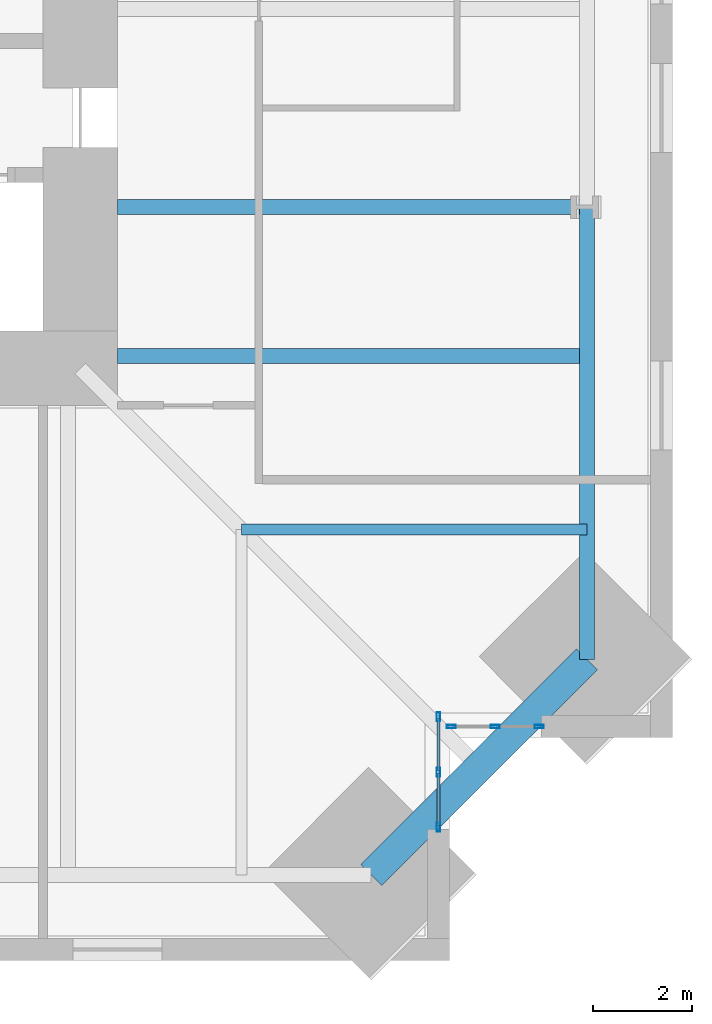
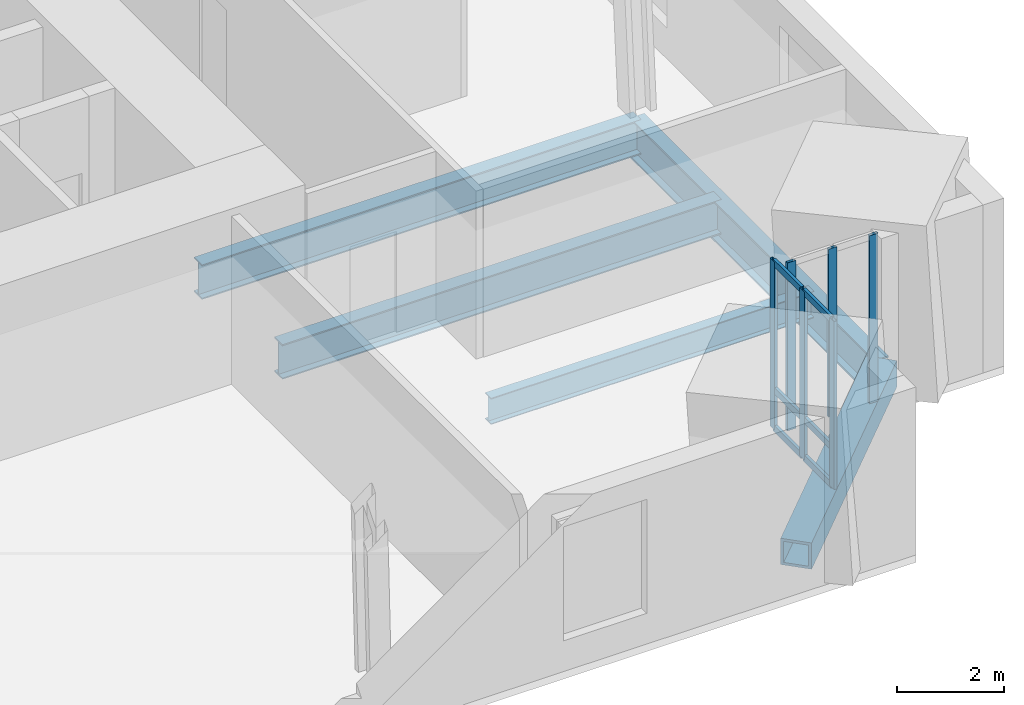
# One storey, part 4 of 15: 12 members, 5 beams, 2 elements without a shape of their own.
"""IFC4 building model written with IfcOpenShell, lengths in metres."""

import ifcopenshell
import ifcopenshell.guid

model = None  # the IFC model being written
_history = None  # IfcOwnerHistory: only IFC2X3 demands one
_inside = {}  # id of a spatial element -> (the spatial element, [elements in it])
_under = {}  # id of a project, library or spatial element -> (it, [spatial elements below it])
_declared = {}  # id of a project -> (the project, [libraries it declares])
_typed = {}  # id of a type object -> (the type object, [elements of that type])
_made_of = {}  # id of a material, layer set ... -> (it, [elements and type objects made of it])


def new_model(schema):
    """Start an empty IFC model of exactly this schema.

    Asked for "IFC4X3", IfcOpenShell would pick the latest addendum, in which some entities
    have other attributes; the version numbers below select the first issue.
    IFC2X3 requires an IfcOwnerHistory on every rooted entity: one is made here for all.
    """
    global model, _history
    if schema == "IFC4X3":
        model = ifcopenshell.file(schema_version=(4, 3, 0, 0))
    else:
        model = ifcopenshell.file(schema=schema)
    _inside.clear()
    _under.clear()
    _declared.clear()
    _typed.clear()
    _made_of.clear()
    _history = None
    if model.schema == "IFC2X3":
        org = make("IfcOrganization", Name="unknown")
        user = make(
            "IfcPersonAndOrganization",
            ThePerson=make("IfcPerson", FamilyName="unknown"),
            TheOrganization=org,
        )
        app = make(
            "IfcApplication",
            ApplicationDeveloper=org,
            Version="unknown",
            ApplicationFullName="unknown",
            ApplicationIdentifier="unknown",
        )
        _history = make(
            "IfcOwnerHistory",
            OwningUser=user,
            OwningApplication=app,
            ChangeAction="ADDED",
            CreationDate=0,
        )
    return model


def make(cls, **values):
    """One entity of the class cls with the attributes given. An attribute that is None is left unset."""
    return model.create_entity(
        cls, **{name: value for name, value in values.items() if value is not None}
    )


def rooted(cls, **values):
    """An entity with a GlobalId (a new one), such as an element, a storey or a relation."""
    return make(cls, GlobalId=ifcopenshell.guid.new(), OwnerHistory=_history, **values)


def si_unit(unit_type, name, prefix=None):
    """IfcSIUnit, for example si_unit("LENGTHUNIT", "METRE", prefix="MILLI")."""
    return make("IfcSIUnit", UnitType=unit_type, Prefix=prefix, Name=name)


def assignment(units):
    """IfcUnitAssignment: the units of a project."""
    return None if units is None else make("IfcUnitAssignment", Units=units)


def point(xyz):
    """IfcCartesianPoint."""
    return None if xyz is None else make("IfcCartesianPoint", Coordinates=xyz)


def direction(xyz):
    """IfcDirection."""
    return None if xyz is None else make("IfcDirection", DirectionRatios=xyz)


def frame(location, z_axis=None, x_axis=None):
    """IfcAxis2Placement3D, a coordinate frame: its origin and axes. An axis left out is left unset."""
    return make(
        "IfcAxis2Placement3D",
        Location=point(location),
        Axis=direction(z_axis),
        RefDirection=direction(x_axis),
    )


def frame_2d(location, x_axis=None):
    """IfcAxis2Placement2D, a coordinate frame in the plane: its origin and x axis."""
    return make(
        "IfcAxis2Placement2D", Location=point(location), RefDirection=direction(x_axis)
    )


def origin():
    """The frame at (0, 0, 0) with its axes left unset."""
    return frame((0.0, 0.0, 0.0))


def origin_2d():
    """The frame at (0, 0) in the plane with its x axis left unset."""
    return frame_2d((0.0, 0.0))


def place(relative_to, where):
    """IfcLocalPlacement: puts the frame where relative to a parent placement (None: the world)."""
    return make(
        "IfcLocalPlacement", PlacementRelTo=relative_to, RelativePlacement=where
    )


def context(
    kind, dimensions, precision=None, world=None, true_north=None, identifier=None
):
    """IfcGeometricRepresentationContext, for example the 3D "Model" context."""
    return make(
        "IfcGeometricRepresentationContext",
        ContextIdentifier=identifier,
        ContextType=kind,
        CoordinateSpaceDimension=dimensions,
        Precision=precision,
        WorldCoordinateSystem=world,
        TrueNorth=true_north,
    )


def subcontext(parent, identifier, kind, view, scale=None):
    """IfcGeometricRepresentationSubContext, for example "Body" below "Model"."""
    return make(
        "IfcGeometricRepresentationSubContext",
        ContextIdentifier=identifier,
        ContextType=kind,
        ParentContext=parent,
        TargetScale=scale,
        TargetView=view,
    )


def project(units=None, contexts=None):
    """IfcProject with its units and contexts."""
    return rooted(
        "IfcProject",
        Name="project",
        RepresentationContexts=contexts,
        UnitsInContext=assignment(units),
    )


def spatial(cls, under=None, at=None, **own):
    """A site, building, storey or space (cls), placed at a placement, below another one or the project."""
    s = rooted(cls, ObjectPlacement=at, **own)
    if under is not None:
        _under.setdefault(under.id(), (under, []))[1].append(s)
    return s


def profile(cls, at=None, kind="AREA", **sizes):
    """A parametric profile (cls). Its sizes go by their IFC names, for example OverallWidth=200.0."""
    return make(cls, ProfileType=kind, Position=at, **sizes)


def hollow_rectangle(**sizes):
    """IfcRectangleHollowProfileDef."""
    return profile("IfcRectangleHollowProfileDef", **sizes)


def i_section(**sizes):
    """IfcIShapeProfileDef."""
    return profile("IfcIShapeProfileDef", **sizes)


def extrude(swept, where, along, depth):
    """IfcExtrudedAreaSolid: the profile swept, set in the frame where, extruded along a direction by depth."""
    return make(
        "IfcExtrudedAreaSolid",
        SweptArea=swept,
        Position=where,
        ExtrudedDirection=direction(along),
        Depth=depth,
    )


def shape(context_of_items, identifier, shape_type, items):
    """IfcShapeRepresentation: the items that make up one representation, for example the "Body"."""
    return make(
        "IfcShapeRepresentation",
        ContextOfItems=context_of_items,
        RepresentationIdentifier=identifier,
        RepresentationType=shape_type,
        Items=items,
    )


def material(Name=None, Category=None):
    """IfcMaterial."""
    return make("IfcMaterial", Name=Name, Category=Category)


def material_profile(
    of_material, cross_section, Name=None, Category=None, Priority=None
):
    """IfcMaterialProfile: a cross section and its material."""
    return make(
        "IfcMaterialProfile",
        Name=Name,
        Material=of_material,
        Profile=cross_section,
        Priority=Priority,
        Category=Category,
    )


def profile_set(profiles, Name=None, composite=None):
    """IfcMaterialProfileSet."""
    return make(
        "IfcMaterialProfileSet",
        Name=Name,
        MaterialProfiles=profiles,
        CompositeProfile=composite,
    )


def made_of(thing, what):
    """Note that an element or type object is made of a material, layer set ...; save() writes the relation."""
    if what is not None:
        _made_of.setdefault(what.id(), (what, []))[1].append(thing)
    return thing


def type_object(cls, material=None, **own):
    """A type object (cls), such as IfcWallType, which elements share."""
    return made_of(rooted(cls, **own), material)


def element(
    cls,
    number,
    at=None,
    inside=None,
    cuts=None,
    type_object=None,
    material=None,
    context=None,
    identifier="Body",
    shape_type=None,
    held_by="IfcProductDefinitionShape",
    body=None,
    shapes=None,
    **own,
):
    """One element of the class cls, such as IfcWall. Its Tag is "e" and its number.

    at: its placement. inside: the storey or other place that contains it. cuts: it is an
    opening in that element (IfcRelVoidsElement). A single representation is given by context,
    identifier, shape_type and body (its items); several are given by shapes. held_by: the class
    of the entity that holds the representations. save() writes the other relations.
    """
    e = rooted(cls, Tag="e%d" % number, ObjectPlacement=at, **own)
    if body is not None:
        shapes = [shape(context, identifier, shape_type, body)]
    if shapes is not None:
        e.Representation = make(held_by, Representations=shapes)
    if inside is not None:
        _inside.setdefault(inside.id(), (inside, []))[1].append(e)
    if cuts is not None:
        rooted(
            "IfcRelVoidsElement", RelatingBuildingElement=cuts, RelatedOpeningElement=e
        )
    if type_object is not None:
        _typed.setdefault(type_object.id(), (type_object, []))[1].append(e)
    return made_of(e, material)


def aggregate(whole, parts):
    """IfcRelAggregates: a whole, such as a stair, and the parts it consists of."""
    return rooted("IfcRelAggregates", RelatingObject=whole, RelatedObjects=parts)


def save(model, path):
    """Write the relations noted so far, then the file.

    IfcRelAggregates (storeys below a building ...), IfcRelContainedInSpatialStructure (elements
    in a storey), IfcRelDefinesByType, IfcRelAssociatesMaterial and IfcRelDeclares: one each for
    every whole, place, type object, material and project.
    """
    for whole, parts in _under.values():
        aggregate(whole, parts)
    for where, things in _inside.values():
        rooted(
            "IfcRelContainedInSpatialStructure",
            RelatedElements=things,
            RelatingStructure=where,
        )
    for kind, things in _typed.values():
        rooted("IfcRelDefinesByType", RelatedObjects=things, RelatingType=kind)
    for what, things in _made_of.values():
        rooted("IfcRelAssociatesMaterial", RelatedObjects=things, RelatingMaterial=what)
    for by, libraries in _declared.values():
        rooted("IfcRelDeclares", RelatingContext=by, RelatedDefinitions=libraries)
    model.write(path)


model = new_model("IFC4")

# Units and contexts
model_context = context("Model", 3, precision=1e-05, world=origin(), true_north=direction((0.0, 1.0)))
body_context = subcontext(model_context, "Body", "Model", "MODEL_VIEW")
ifc_project = project(units=[si_unit("LENGTHUNIT", "METRE"), si_unit("AREAUNIT", "SQUARE_METRE"), si_unit("VOLUMEUNIT", "CUBIC_METRE"), si_unit("PLANEANGLEUNIT", "RADIAN"), si_unit("MASSUNIT", "GRAM", prefix="KILO")], contexts=[model_context])

# Site, building, storey
site_placement = place(None, origin())
site = spatial("IfcSite", under=ifc_project, at=site_placement, CompositionType="ELEMENT")
building_placement = place(site_placement, origin())
building = spatial("IfcBuilding", under=site, at=building_placement, Name="Peilmerk Tower", CompositionType="ELEMENT")
storey_placement = place(building_placement, frame((0.0, 0.0, 233.800048828125)))
storey = spatial("IfcBuildingStorey", under=building, at=storey_placement, Name="L51", CompositionType="ELEMENT", Elevation=233.800048828125)

# Beams
ifc_material_1 = material(Name="Steel S355", Category="steel")
ifc_material_profile_1 = material_profile(ifc_material_1, i_section(OverallWidth=0.219970703125, OverallDepth=0.60009765625, WebThickness=0.011962890625, FlangeThickness=0.01904296875, at=origin_2d()), Name="IPE 600")
ifc_profile_set_1 = profile_set([ifc_material_profile_1], Name="Steel S355")
beam_type_1 = type_object("IfcBeamType", Name="B10 IPE 600 floor beam", PredefinedType="BEAM", material=ifc_profile_set_1)
beam_1_placement = place(storey_placement, frame((14.5, -14.5, -0.469970703125), z_axis=(1.0, 0.0, 0.0), x_axis=(0.0, 1.0, 0.0)))
element("IfcBeam", 1, at=beam_1_placement, inside=storey, type_object=beam_type_1, Name="Floor beam L51", PredefinedType="BEAM", context=body_context, shape_type="SweptSolid", body=[
    extrude(i_section(OverallWidth=0.219970703125, OverallDepth=0.60009765625, WebThickness=0.011962890625, FlangeThickness=0.01904296875, at=origin_2d()), origin(), (0.0, 0.0, 1.0), 6.96923828125),
])
ifc_material_profile_2 = material_profile(ifc_material_1, i_section(OverallWidth=0.302001953125, OverallDepth=0.909912109375, WebThickness=0.02099609375, FlangeThickness=0.0400390625, at=origin_2d()), Name="HEM 900")
ifc_profile_set_2 = profile_set([ifc_material_profile_2], Name="Steel S355")
beam_type_2 = type_object("IfcBeamType", Name="B2 HEM 900 edge beam", PredefinedType="SPANDREL", material=ifc_profile_set_2)
beam_2_placement = place(storey_placement, frame((21.46923828125, -17.119384765625, -0.625), z_axis=(0.0, 1.0, 0.0), x_axis=(-1.0, 0.0, 0.0)))
element("IfcBeam", 2, at=beam_2_placement, inside=storey, type_object=beam_type_2, Name="Edge beam L51", PredefinedType="SPANDREL", context=body_context, shape_type="SweptSolid", body=[
    extrude(i_section(OverallWidth=0.302001953125, OverallDepth=0.909912109375, WebThickness=0.02099609375, FlangeThickness=0.0400390625, at=origin_2d()), origin(), (0.0, 0.0, 1.0), 9.119384765625),
])
ifc_material_2 = material(Name="Steel S460", Category="steel")
ifc_material_profile_3 = material_profile(ifc_material_2, hollow_rectangle(XDim=0.60009765625, YDim=0.60009765625, WallThickness=0.06005859375, at=origin_2d()), Name="BOX 600x600x60")
ifc_profile_set_3 = profile_set([ifc_material_profile_3], Name="Steel S460")
beam_type_3 = type_object("IfcBeamType", Name="B20 BOX 600x600x60 notch beam", PredefinedType="SPANDREL", material=ifc_profile_set_3)
beam_3_placement = place(storey_placement, frame((21.46923828125, -17.119384765625, -0.469970703125), z_axis=(-0.707106781187, -0.707106781187, 0.0), x_axis=(0.707106781187, -0.707106781187, 0.0)))
element("IfcBeam", 3, at=beam_3_placement, inside=storey, type_object=beam_type_3, Name="Notch beam L51", PredefinedType="SPANDREL", context=body_context, shape_type="SweptSolid", body=[
    extrude(hollow_rectangle(XDim=0.60009765625, YDim=0.60009765625, WallThickness=0.06005859375, at=origin_2d()), origin(), (0.0, 0.0, 1.0), 6.151611328125),
])
ifc_material_profile_4 = material_profile(ifc_material_1, i_section(OverallWidth=0.300048828125, OverallDepth=0.7900390625, WebThickness=0.014892578125, FlangeThickness=0.028076171875, at=origin_2d()), Name="HEA 800")
ifc_profile_set_4 = profile_set([ifc_material_profile_4], Name="Steel S355")
beam_type_4 = type_object("IfcBeamType", Name="B3 HEA 800 floor beam", PredefinedType="BEAM", material=ifc_profile_set_4)
for number, where, z_axis, x_axis, name in (
    (4, (12.0, -11.0, -0.56494140625), (1.0, 0.0, 0.0), (0.0, 1.0, 0.0), "Floor beam L51"),
    (5, (12.0, -8.0, -0.56494140625), (1.0, 0.0, 0.0), (0.0, 1.0, 0.0), "Floor beam L51"),
):
    element("IfcBeam", number, at=place(storey_placement, frame(where, z_axis=z_axis, x_axis=x_axis)), inside=storey, type_object=beam_type_4, Name=name, PredefinedType="BEAM", context=body_context, shape_type="SweptSolid", body=[
        extrude(i_section(OverallWidth=0.300048828125, OverallDepth=0.7900390625, WebThickness=0.014892578125, FlangeThickness=0.028076171875, at=origin_2d()), origin(), (0.0, 0.0, 1.0), 9.46923828125),
    ])

# Curtain wall, members
ifc_material_3 = material(Name="Aluminium stick curtain wall", Category="aluminium")
curtain_wall_type = type_object("IfcCurtainWallType", Name="CW4 stick curtain wall, 2250 module", PredefinedType="NOTDEFINED", material=ifc_material_3)
curtain_wall_1_placement = place(storey_placement, origin())
curtain_wall_1 = element("IfcCurtainWall", 6, at=curtain_wall_1_placement, inside=storey, type_object=curtain_wall_type, Name="Curtain wall CW4 SEA L51", PredefinedType="NOTDEFINED")
ifc_material_4 = material(Name="Aluminium EN AW-6063 T6", Category="aluminium")
ifc_material_profile_5 = material_profile(ifc_material_4, hollow_rectangle(XDim=0.06494140625, YDim=0.179931640625, WallThickness=0.0029296875, at=origin_2d()), Name="AL 180x65x3")
ifc_profile_set_5 = profile_set([ifc_material_profile_5], Name="Aluminium EN AW-6063 T6")
member_type_1 = type_object("IfcMemberType", Name="CW4-M AL 180x65x3 mullion", PredefinedType="MULLION", material=ifc_profile_set_5)
member_1_placement = place(storey_placement, frame((18.47509765625, -18.282470703125, 0.0), z_axis=(0.0, 0.0, 1.0), x_axis=(1.0, 0.0, 0.0)))
member_1 = element("IfcMember", 7, at=member_1_placement, type_object=member_type_1, Name="CW4 mullion 1", PredefinedType="MULLION", context=body_context, shape_type="SweptSolid", body=[
    extrude(hollow_rectangle(XDim=0.06494140625, YDim=0.179931640625, WallThickness=0.0029296875, at=origin_2d()), origin(), (0.0, 0.0, 1.0), 3.829833984375),
])
member_2_placement = place(storey_placement, frame((18.47509765625, -19.394287109375, 0.0), z_axis=(0.0, 0.0, 1.0), x_axis=(1.0, 0.0, 0.0)))
member_2 = element("IfcMember", 8, at=member_2_placement, type_object=member_type_1, Name="CW4 mullion 2", PredefinedType="MULLION", context=body_context, shape_type="SweptSolid", body=[
    extrude(hollow_rectangle(XDim=0.06494140625, YDim=0.179931640625, WallThickness=0.0029296875, at=origin_2d()), origin(), (0.0, 0.0, 1.0), 3.829833984375),
])
member_3_placement = place(storey_placement, frame((18.47509765625, -20.506103515625, 0.0), z_axis=(0.0, 0.0, 1.0), x_axis=(1.0, 0.0, 0.0)))
member_3 = element("IfcMember", 9, at=member_3_placement, type_object=member_type_1, Name="CW4 mullion 3", PredefinedType="MULLION", context=body_context, shape_type="SweptSolid", body=[
    extrude(hollow_rectangle(XDim=0.06494140625, YDim=0.179931640625, WallThickness=0.0029296875, at=origin_2d()), origin(), (0.0, 0.0, 1.0), 3.829833984375),
])

curtain_wall_2_placement = place(storey_placement, origin())
curtain_wall_2 = element("IfcCurtainWall", 10, at=curtain_wall_2_placement, inside=storey, type_object=curtain_wall_type, Name="Curtain wall CW4 SEB L51", PredefinedType="NOTDEFINED")
member_4_placement = place(storey_placement, frame((18.732421875, -18.47509765625, 0.0), z_axis=(0.0, 0.0, 1.0), x_axis=(0.0, 1.0, 0.0)))
member_4 = element("IfcMember", 11, at=member_4_placement, type_object=member_type_1, Name="CW4 mullion 1", PredefinedType="MULLION", context=body_context, shape_type="SweptSolid", body=[
    extrude(hollow_rectangle(XDim=0.06494140625, YDim=0.179931640625, WallThickness=0.0029296875, at=origin_2d()), origin(), (0.0, 0.0, 1.0), 3.829833984375),
])
member_5_placement = place(storey_placement, frame((19.619384765625, -18.47509765625, 0.0), z_axis=(0.0, 0.0, 1.0), x_axis=(0.0, 1.0, 0.0)))
member_5 = element("IfcMember", 12, at=member_5_placement, type_object=member_type_1, Name="CW4 mullion 2", PredefinedType="MULLION", context=body_context, shape_type="SweptSolid", body=[
    extrude(hollow_rectangle(XDim=0.06494140625, YDim=0.179931640625, WallThickness=0.0029296875, at=origin_2d()), origin(), (0.0, 0.0, 1.0), 3.829833984375),
])
member_6_placement = place(storey_placement, frame((20.506103515625, -18.47509765625, 0.0), z_axis=(0.0, 0.0, 1.0), x_axis=(0.0, 1.0, 0.0)))
member_6 = element("IfcMember", 13, at=member_6_placement, type_object=member_type_1, Name="CW4 mullion 3", PredefinedType="MULLION", context=body_context, shape_type="SweptSolid", body=[
    extrude(hollow_rectangle(XDim=0.06494140625, YDim=0.179931640625, WallThickness=0.0029296875, at=origin_2d()), origin(), (0.0, 0.0, 1.0), 3.829833984375),
])
aggregate(curtain_wall_2, [member_4, member_5, member_6])

# Member
ifc_material_profile_6 = material_profile(ifc_material_4, hollow_rectangle(XDim=0.06494140625, YDim=0.14990234375, WallThickness=0.0029296875, at=origin_2d()), Name="AL 150x65x3")
ifc_profile_set_6 = profile_set([ifc_material_profile_6], Name="Aluminium EN AW-6063 T6")
member_type_2 = type_object("IfcMemberType", Name="CW4-T AL 150x65x3 transom", PredefinedType="USERDEFINED", material=ifc_profile_set_6)
member_7_placement = place(storey_placement, frame((18.47509765625, -18.31494140625, 0.032470703125), z_axis=(0.0, -1.0, 0.0), x_axis=(1.0, 0.0, 0.0)))
member_7 = element("IfcMember", 14, at=member_7_placement, type_object=member_type_2, Name="CW4 transom 1.1", ObjectType="TRANSOM", PredefinedType="USERDEFINED", context=body_context, shape_type="SweptSolid", body=[
    extrude(hollow_rectangle(XDim=0.06494140625, YDim=0.14990234375, WallThickness=0.0029296875, at=origin_2d()), origin(), (0.0, 0.0, 1.0), 1.046875),
])

member_8_placement = place(storey_placement, frame((18.47509765625, -18.31494140625, 0.89990234375), z_axis=(0.0, -1.0, 0.0), x_axis=(1.0, 0.0, 0.0)))
member_8 = element("IfcMember", 15, at=member_8_placement, type_object=member_type_2, Name="CW4 transom 1.2", ObjectType="TRANSOM", PredefinedType="USERDEFINED", context=body_context, shape_type="SweptSolid", body=[
    extrude(hollow_rectangle(XDim=0.06494140625, YDim=0.14990234375, WallThickness=0.0029296875, at=origin_2d()), origin(), (0.0, 0.0, 1.0), 1.046875),
])

member_9_placement = place(storey_placement, frame((18.47509765625, -18.31494140625, 3.79736328125), z_axis=(0.0, -1.0, 0.0), x_axis=(1.0, 0.0, 0.0)))
member_9 = element("IfcMember", 16, at=member_9_placement, type_object=member_type_2, Name="CW4 transom 1.3", ObjectType="TRANSOM", PredefinedType="USERDEFINED", context=body_context, shape_type="SweptSolid", body=[
    extrude(hollow_rectangle(XDim=0.06494140625, YDim=0.14990234375, WallThickness=0.0029296875, at=origin_2d()), origin(), (0.0, 0.0, 1.0), 1.046875),
])

member_10_placement = place(storey_placement, frame((18.47509765625, -19.4267578125, 0.032470703125), z_axis=(0.0, -1.0, 0.0), x_axis=(1.0, 0.0, 0.0)))
member_10 = element("IfcMember", 17, at=member_10_placement, type_object=member_type_2, Name="CW4 transom 2.1", ObjectType="TRANSOM", PredefinedType="USERDEFINED", context=body_context, shape_type="SweptSolid", body=[
    extrude(hollow_rectangle(XDim=0.06494140625, YDim=0.14990234375, WallThickness=0.0029296875, at=origin_2d()), origin(), (0.0, 0.0, 1.0), 1.046875),
])

member_11_placement = place(storey_placement, frame((18.47509765625, -19.4267578125, 0.89990234375), z_axis=(0.0, -1.0, 0.0), x_axis=(1.0, 0.0, 0.0)))
member_11 = element("IfcMember", 18, at=member_11_placement, type_object=member_type_2, Name="CW4 transom 2.2", ObjectType="TRANSOM", PredefinedType="USERDEFINED", context=body_context, shape_type="SweptSolid", body=[
    extrude(hollow_rectangle(XDim=0.06494140625, YDim=0.14990234375, WallThickness=0.0029296875, at=origin_2d()), origin(), (0.0, 0.0, 1.0), 1.046875),
])

member_12_placement = place(storey_placement, frame((18.47509765625, -19.4267578125, 3.79736328125), z_axis=(0.0, -1.0, 0.0), x_axis=(1.0, 0.0, 0.0)))
member_12 = element("IfcMember", 19, at=member_12_placement, type_object=member_type_2, Name="CW4 transom 2.3", ObjectType="TRANSOM", PredefinedType="USERDEFINED", context=body_context, shape_type="SweptSolid", body=[
    extrude(hollow_rectangle(XDim=0.06494140625, YDim=0.14990234375, WallThickness=0.0029296875, at=origin_2d()), origin(), (0.0, 0.0, 1.0), 1.046875),
])

aggregate(curtain_wall_1, [member_1, member_2, member_3, member_7, member_8, member_9, member_10, member_11, member_12])

save(model, "model.ifc")
